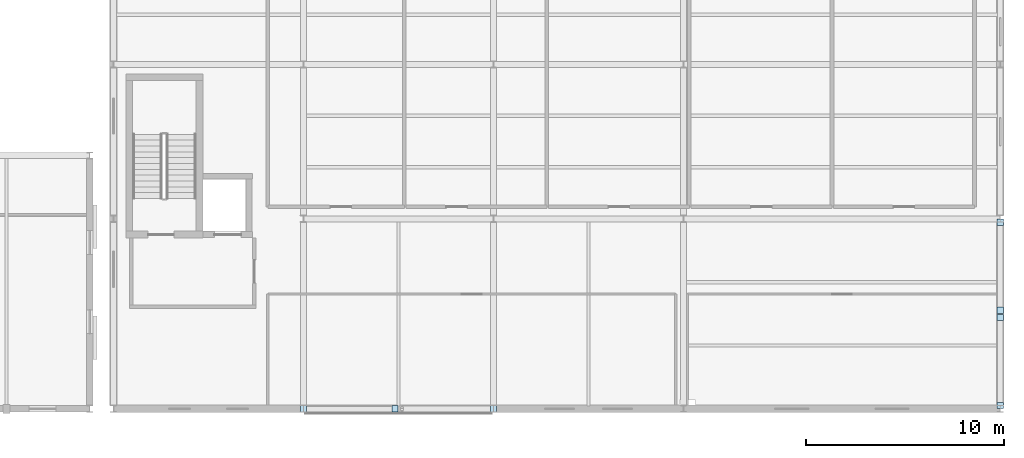
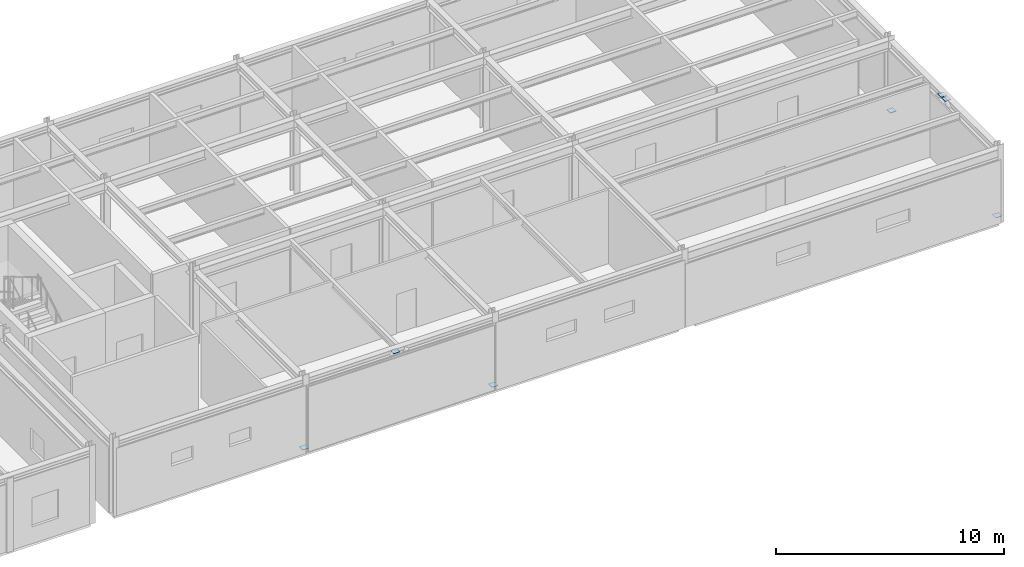
# One storey, part 77 of 99: 7 plates.
"""IFC4 building model written with IfcOpenShell, lengths in metres."""

from ifc_helpers import new_model, si_unit, direction, frame, origin, origin_2d, place, context, subcontext, project, spatial, rectangle, extrude, material, layer, layer_set, type_object, element, save


model = new_model("IFC4")

# Units and contexts
model_context = context("Model", 3, precision=1e-05, world=origin(), true_north=direction((0.0, 1.0)))
body_context = subcontext(model_context, "Body", "Model", "MODEL_VIEW")
ifc_project = project(units=[si_unit("LENGTHUNIT", "METRE"), si_unit("AREAUNIT", "SQUARE_METRE"), si_unit("VOLUMEUNIT", "CUBIC_METRE"), si_unit("PLANEANGLEUNIT", "RADIAN"), si_unit("MASSUNIT", "GRAM", prefix="KILO")], contexts=[model_context])

# Site, building, storey
site_placement = place(None, origin())
site = spatial("IfcSite", under=ifc_project, at=site_placement, CompositionType="ELEMENT")
building_placement = place(site_placement, origin())
building = spatial("IfcBuilding", under=site, at=building_placement, Name="Nordkorset Police Headquarters", CompositionType="ELEMENT")
storey_placement = place(building_placement, frame((0.0, 0.0, 5.25)))
storey = spatial("IfcBuildingStorey", under=building, at=storey_placement, Name="L01", CompositionType="ELEMENT", Elevation=5.25)

# Plates
ifc_material = material(Name="Steel S355J2", Category="steel")
ifc_layer = layer(ifc_material, 0.02001953125, Name="Steel S355J2")
ifc_layer_set = layer_set([ifc_layer], Name="Steel S355J2")
plate_type = type_object("IfcPlateType", Name="SteelPlate_20mm", PredefinedType="SHEET", material=ifc_layer_set)
for number, where, z_axis, x_axis, name in (
    (1, (136.006103515625, 0.0, 0.18994140625), (0.0, 0.0, 1.0), (1.0, 0.0, 0.0), "Hollow Section End Cap Plate BF-EXT-V6S-L01-D1-0"),
    (2, (140.6201171875, 0.0, 3.72998046875), (0.0, 0.0, 1.0), (1.0, 0.0, 0.0), "Hollow Section End Cap Plate BF-EXT-V6S-L01-D1-1"),
    (3, (145.593994140625, 0.0, 0.18994140625), (0.0, 0.0, 1.0), (1.0, 0.0, 0.0), "Hollow Section End Cap Plate BF-EXT-V6S-L01-D2-0"),
    (4, (171.199951171875, 0.169921875, 0.18994140625), (0.0, 0.0, 1.0), (1.0, 0.0, 0.0), "Hollow Section End Cap Plate BF-EXT-V6E-L01-D1-0"),
    (5, (171.199951171875, 4.6201171875, 3.72998046875), (0.0, 0.0, 1.0), (1.0, 0.0, 0.0), "Hollow Section End Cap Plate BF-EXT-V6E-L01-D1-1"),
    (6, (171.199951171875, 9.429931640625, 0.18994140625), (0.0, 0.0, 1.0), (1.0, 0.0, 0.0), "Hollow Section End Cap Plate BF-EXT-V6E-L01-D2-0"),
    (7, (171.199951171875, 4.97998046875, 3.72998046875), (0.0, 0.0, 1.0), (1.0, 0.0, 0.0), "Hollow Section End Cap Plate BF-EXT-V6E-L01-D2-1"),
):
    element("IfcPlate", number, at=place(storey_placement, frame(where, z_axis=z_axis, x_axis=x_axis)), inside=storey, type_object=plate_type, Name=name, PredefinedType="SHEET", context=body_context, shape_type="SweptSolid", body=[
        extrude(rectangle(XDim=0.31298828125, YDim=0.31298828125, at=origin_2d()), origin(), (0.0, 0.0, 1.0), 0.02001953125),
    ])

save(model, "model.ifc")
